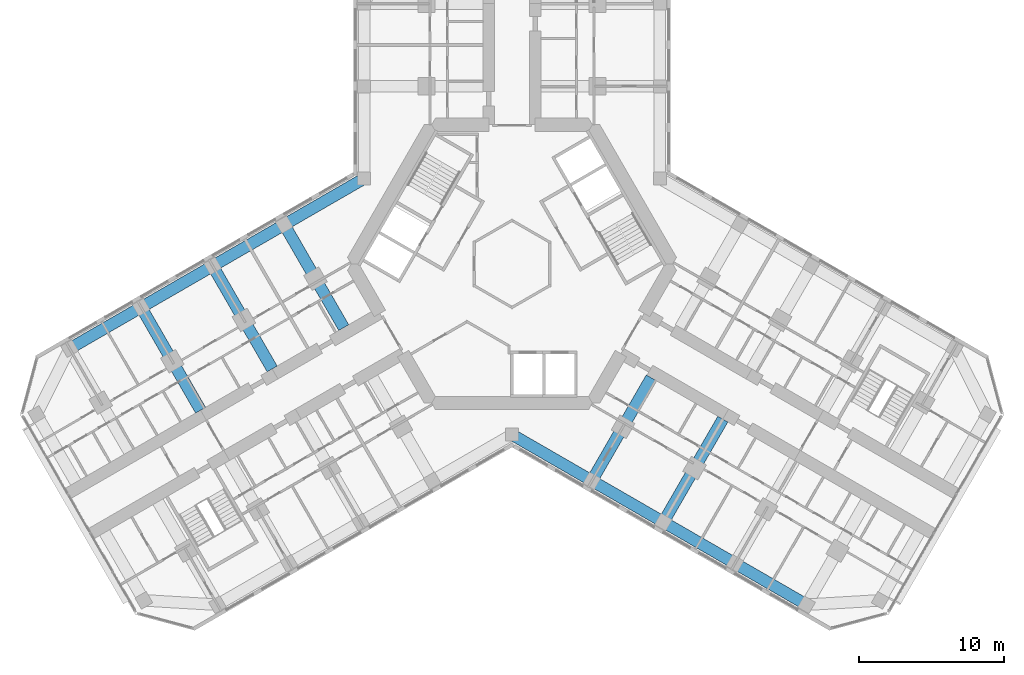
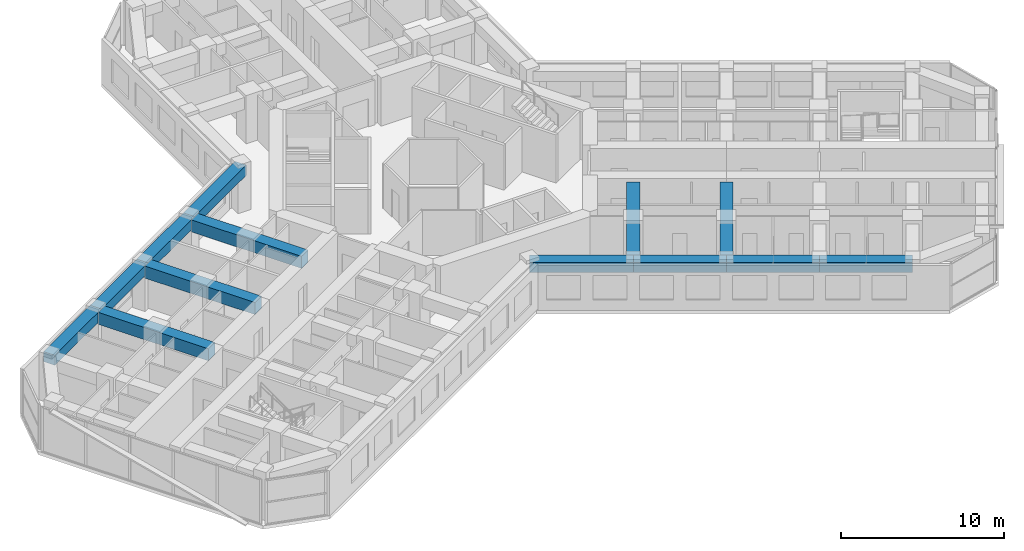
# One storey, part 4 of 19: 13 beams.
"""IFC4 building model written with IfcOpenShell, lengths in metres."""

from ifc_helpers import new_model, si_unit, direction, frame, origin, origin_2d, place, context, subcontext, project, spatial, rectangle, extrude, material, material_profile, profile_set, type_object, element, save


model = new_model("IFC4")

# Units and contexts
model_context = context("Model", 3, precision=1e-05, world=origin(), true_north=direction((0.0, 1.0)))
body_context = subcontext(model_context, "Body", "Model", "MODEL_VIEW")
ifc_project = project(units=[si_unit("LENGTHUNIT", "METRE"), si_unit("AREAUNIT", "SQUARE_METRE"), si_unit("VOLUMEUNIT", "CUBIC_METRE"), si_unit("PLANEANGLEUNIT", "RADIAN"), si_unit("MASSUNIT", "GRAM", prefix="KILO")], contexts=[model_context])

# Site, building, storey
site_placement = place(None, origin())
site = spatial("IfcSite", under=ifc_project, at=site_placement, CompositionType="ELEMENT")
building_placement = place(site_placement, origin())
building = spatial("IfcBuilding", under=site, at=building_placement, Name="Kosmar Iwan School Tower", CompositionType="ELEMENT")
storey_placement = place(building_placement, frame((0.0, 0.0, 134.60009765625)))
storey = spatial("IfcBuildingStorey", under=building, at=storey_placement, Name="L33", CompositionType="ELEMENT", Elevation=134.60009765625)

# Beams
ifc_material_1 = material(Name="Concrete C50/60", Category="concrete")
ifc_material_profile_1 = material_profile(ifc_material_1, rectangle(XDim=0.800048828125, YDim=0.75, at=origin_2d()), Name="RC 800x750")
ifc_profile_set_1 = profile_set([ifc_material_profile_1], Name="Concrete C50/60")
beam_type_1 = type_object("IfcBeamType", Name="RC edge beam 800x750", PredefinedType="BEAM", material=ifc_profile_set_1)
beam_1_placement = place(storey_placement, frame((-10.199951171875, 5.888916015625, 2.974853515625), z_axis=(-0.866030912664, -0.49999045822, 0.0), x_axis=(0.49999045822, -0.866030912664, 0.0)))
element("IfcBeam", 1, at=beam_1_placement, inside=storey, type_object=beam_type_1, Name="Edge beam BR1", PredefinedType="BEAM", context=body_context, shape_type="SweptSolid", body=[
    extrude(rectangle(XDim=0.800048828125, YDim=0.75, at=origin_2d()), origin(), (0.0, 0.0, 1.0), 6.36083984375),
])
beam_2_placement = place(storey_placement, frame((-15.708740234375, 2.70849609375, 2.974853515625), z_axis=(-0.866025820012, -0.499999279071, 0.0), x_axis=(0.499999279071, -0.866025820012, 0.0)))
element("IfcBeam", 2, at=beam_2_placement, inside=storey, type_object=beam_type_1, Name="Edge beam BR2", PredefinedType="BEAM", context=body_context, shape_type="SweptSolid", body=[
    extrude(rectangle(XDim=0.800048828125, YDim=0.75, at=origin_2d()), origin(), (0.0, 0.0, 1.0), 5.7001953125),
])
for number, where, z_axis, x_axis, name in (
    (3, (-20.645263671875, -0.1416015625, 2.974853515625), (-0.866033658841, -0.49998570155, 0.0), (0.49998570155, -0.866033658841, 0.0), "Edge beam BR3"),
    (4, (-25.58154296875, -2.991455078125, 2.974853515625), (-0.866015111908, -0.50001782563, 0.0), (0.50001782563, -0.866015111908, 0.0), "Edge beam BR4"),
):
    element("IfcBeam", number, at=place(storey_placement, frame(where, z_axis=z_axis, x_axis=x_axis)), inside=storey, type_object=beam_type_1, Name=name, PredefinedType="BEAM", context=body_context, shape_type="SweptSolid", body=[
        extrude(rectangle(XDim=0.800048828125, YDim=0.75, at=origin_2d()), origin(), (0.0, 0.0, 1.0), 5.699951171875),
    ])
beam_3_placement = place(storey_placement, frame((0.0, -11.77783203125, 2.974853515625), z_axis=(0.866014293216, -0.500019243575, 0.0), x_axis=(0.500019243575, 0.866014293216, 0.0)))
element("IfcBeam", 5, at=beam_3_placement, inside=storey, type_object=beam_type_1, Name="Edge beam CR1", PredefinedType="BEAM", context=body_context, shape_type="SweptSolid", body=[
    extrude(rectangle(XDim=0.800048828125, YDim=0.75, at=origin_2d()), origin(), (0.0, 0.0, 1.0), 6.361083984375),
])
beam_4_placement = place(storey_placement, frame((5.5087890625, -14.95849609375, 2.974853515625), z_axis=(0.866033658841, -0.49998570155, 0.0), x_axis=(0.49998570155, 0.866033658841, 0.0)))
element("IfcBeam", 6, at=beam_4_placement, inside=storey, type_object=beam_type_1, Name="Edge beam CR2", PredefinedType="BEAM", context=body_context, shape_type="SweptSolid", body=[
    extrude(rectangle(XDim=0.800048828125, YDim=0.75, at=origin_2d()), origin(), (0.0, 0.0, 1.0), 5.699951171875),
])
beam_5_placement = place(storey_placement, frame((10.445068359375, -17.808349609375, 2.974853515625), z_axis=(0.866025820012, -0.499999279071, 0.0), x_axis=(0.499999279071, 0.866025820012, 0.0)))
element("IfcBeam", 7, at=beam_5_placement, inside=storey, type_object=beam_type_1, Name="Edge beam CR3", PredefinedType="BEAM", context=body_context, shape_type="SweptSolid", body=[
    extrude(rectangle(XDim=0.800048828125, YDim=0.75, at=origin_2d()), origin(), (0.0, 0.0, 1.0), 5.7001953125),
])
beam_6_placement = place(storey_placement, frame((15.381591796875, -20.658447265625, 2.974853515625), z_axis=(0.866015111908, -0.50001782563, 0.0), x_axis=(0.50001782563, 0.866015111908, 0.0)))
element("IfcBeam", 8, at=beam_6_placement, inside=storey, type_object=beam_type_1, Name="Edge beam CR4", PredefinedType="BEAM", context=body_context, shape_type="SweptSolid", body=[
    extrude(rectangle(XDim=0.800048828125, YDim=0.75, at=origin_2d()), origin(), (0.0, 0.0, 1.0), 5.699951171875),
])
ifc_material_2 = material(Name="Concrete C50/60", Category="concrete")
ifc_material_profile_2 = material_profile(ifc_material_2, rectangle(XDim=0.800048828125, YDim=0.89990234375, at=origin_2d()), Name="RC 800x900")
ifc_profile_set_2 = profile_set([ifc_material_profile_2], Name="Concrete C50/60")
beam_type_2 = type_object("IfcBeamType", Name="RC transverse beam 800x900", PredefinedType="BEAM", material=ifc_profile_set_2)
for number, where, z_axis, x_axis, name in (
    (9, (-15.708740234375, 2.70849609375, 2.89990234375), (0.499978459874, -0.866037839625, 0.0), (0.866037839625, 0.499978459874, 0.0), "Transverse beam BR1"),
    (10, (-20.645263671875, -0.1416015625, 2.89990234375), (0.500013681986, -0.866017504342, 0.0), (0.866017504342, 0.500013681986, 0.0), "Transverse beam BR2"),
):
    element("IfcBeam", number, at=place(storey_placement, frame(where, z_axis=z_axis, x_axis=x_axis)), inside=storey, type_object=beam_type_2, Name=name, PredefinedType="BEAM", context=body_context, shape_type="SweptSolid", body=[
        extrude(rectangle(XDim=0.800048828125, YDim=0.89990234375, at=origin_2d()), origin(), (0.0, 0.0, 1.0), 8.199951171875),
    ])
for number, where, z_axis, x_axis, name in (
    (11, (-25.58154296875, -2.991455078125, 2.89990234375), (0.500000789788, -0.8660249478, 0.0), (0.8660249478, 0.500000789788, 0.0), "Transverse beam BR3"),
    (12, (5.5087890625, -14.95849609375, 2.89990234375), (0.500000789788, 0.8660249478, 0.0), (-0.8660249478, 0.500000789788, 0.0), "Transverse beam CR1"),
):
    element("IfcBeam", number, at=place(storey_placement, frame(where, z_axis=z_axis, x_axis=x_axis)), inside=storey, type_object=beam_type_2, Name=name, PredefinedType="BEAM", context=body_context, shape_type="SweptSolid", body=[
        extrude(rectangle(XDim=0.800048828125, YDim=0.89990234375, at=origin_2d()), origin(), (0.0, 0.0, 1.0), 8.2001953125),
    ])
beam_7_placement = place(storey_placement, frame((10.445068359375, -17.808349609375, 2.89990234375), z_axis=(0.500013681986, 0.866017504342, 0.0), x_axis=(-0.866017504342, 0.500013681986, 0.0)))
element("IfcBeam", 13, at=beam_7_placement, inside=storey, type_object=beam_type_2, Name="Transverse beam CR2", PredefinedType="BEAM", context=body_context, shape_type="SweptSolid", body=[
    extrude(rectangle(XDim=0.800048828125, YDim=0.89990234375, at=origin_2d()), origin(), (0.0, 0.0, 1.0), 8.199951171875),
])

save(model, "model.ifc")
